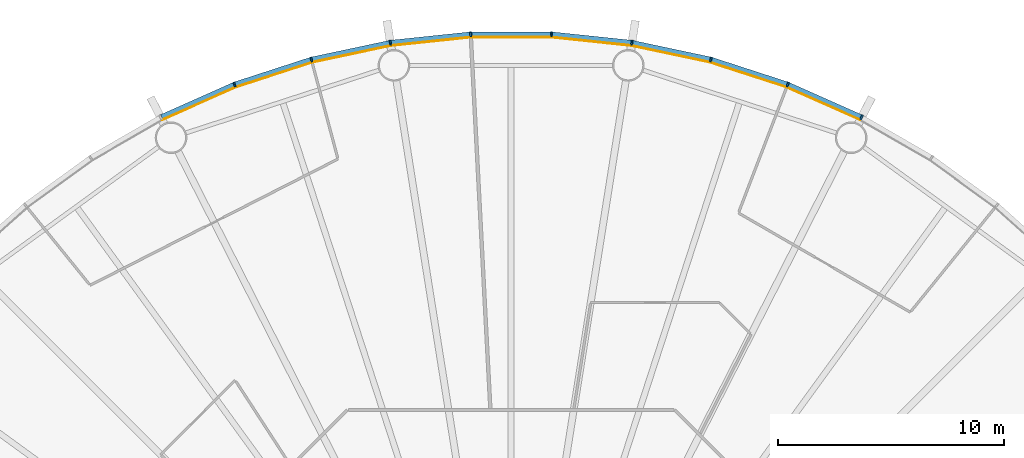
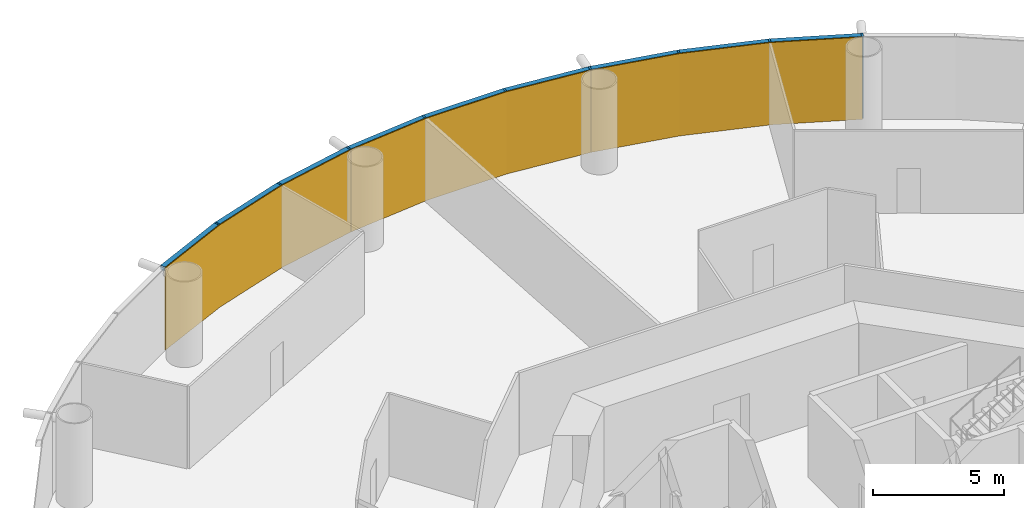
# One storey, part 12 of 13: 18 members, 3 curtain walls.
"""IFC4 building model written with IfcOpenShell, lengths in metres."""

from ifc_helpers import new_model, si_unit, direction, frame, origin, origin_2d, place, context, subcontext, project, spatial, polyline, rectangle, outline, extrude, material, layer, layer_set, material_profile, profile_set, type_object, element, aggregate, save


model = new_model("IFC4")

# Units and contexts
model_context = context("Model", 3, precision=1e-05, world=origin(), true_north=direction((0.0, 1.0)))
body_context = subcontext(model_context, "Body", "Model", "MODEL_VIEW")
ifc_project = project(units=[si_unit("LENGTHUNIT", "METRE"), si_unit("AREAUNIT", "SQUARE_METRE"), si_unit("VOLUMEUNIT", "CUBIC_METRE"), si_unit("PLANEANGLEUNIT", "RADIAN"), si_unit("MASSUNIT", "GRAM", prefix="KILO")], contexts=[model_context])

# Member
ifc_material_1 = material(Name="Anodised aluminium", Category="aluminium")
ifc_material_profile_1 = material_profile(ifc_material_1, rectangle(XDim=0.074951171875, YDim=0.219970703125, at=origin_2d()), Name="Mullion 75 x 220 mm anodised aluminium")
ifc_profile_set_1 = profile_set([ifc_material_profile_1], Name="Anodised aluminium")
member_type_1 = type_object("IfcMemberType", Name="Mullion 75 x 220 mm anodised aluminium", PredefinedType="MULLION", material=ifc_profile_set_1)
site_placement = place(None, origin())
building_placement = place(site_placement, origin())
storey_placement = place(building_placement, frame((0.0, 0.0, 34.0)))
member_1_placement = place(storey_placement, frame((105.485595703125, 110.392333984375, 0.0), z_axis=(0.0, 0.0, 1.0), x_axis=(-0.891006524188, 0.45399049974, 0.0)))
member_1 = element("IfcMember", 1, at=member_1_placement, type_object=member_type_1, Name="MULLION L06-09", PredefinedType="MULLION", context=body_context, shape_type="SweptSolid", body=[
    extrude(rectangle(XDim=0.074951171875, YDim=0.219970703125, at=origin_2d()), origin(), (0.0, 0.0, 1.0), 3.85009765625),
])

member_2_placement = place(storey_placement, frame((102.223876953125, 111.844482421875, 0.0), z_axis=(0.0, 0.0, 1.0), x_axis=(-0.933580426497, 0.358367949545, 0.0)))
member_2 = element("IfcMember", 2, at=member_2_placement, type_object=member_type_1, Name="MULLION L06-10", PredefinedType="MULLION", context=body_context, shape_type="SweptSolid", body=[
    extrude(rectangle(XDim=0.074951171875, YDim=0.219970703125, at=origin_2d()), origin(), (0.0, 0.0, 1.0), 3.85009765625),
])

member_3_placement = place(storey_placement, frame((98.828369140625, 112.94775390625, 0.0), z_axis=(0.0, 0.0, 1.0), x_axis=(-0.965925826289, 0.258819045103, 0.0)))
member_3 = element("IfcMember", 3, at=member_3_placement, type_object=member_type_1, Name="MULLION L06-11", PredefinedType="MULLION", context=body_context, shape_type="SweptSolid", body=[
    extrude(rectangle(XDim=0.074951171875, YDim=0.219970703125, at=origin_2d()), origin(), (0.0, 0.0, 1.0), 3.85009765625),
])

member_4_placement = place(storey_placement, frame((95.3359375, 113.68994140625, 0.0), z_axis=(0.0, 0.0, 1.0), x_axis=(-0.987688340595, 0.15643446504, 0.0)))
member_4 = element("IfcMember", 4, at=member_4_placement, type_object=member_type_1, Name="MULLION L06-12", PredefinedType="MULLION", context=body_context, shape_type="SweptSolid", body=[
    extrude(rectangle(XDim=0.074951171875, YDim=0.219970703125, at=origin_2d()), origin(), (0.0, 0.0, 1.0), 3.85009765625),
])

member_5_placement = place(storey_placement, frame((91.78515625, 114.063232421875, 0.0), z_axis=(0.0, 0.0, 1.0), x_axis=(-0.998629534755, 0.052335956243, 0.0)))
member_5 = element("IfcMember", 5, at=member_5_placement, type_object=member_type_1, Name="MULLION L06-13", PredefinedType="MULLION", context=body_context, shape_type="SweptSolid", body=[
    extrude(rectangle(XDim=0.074951171875, YDim=0.219970703125, at=origin_2d()), origin(), (0.0, 0.0, 1.0), 3.85009765625),
])

member_6_placement = place(storey_placement, frame((88.21484375, 114.063232421875, 0.0), z_axis=(0.0, 0.0, 1.0), x_axis=(-0.998629534755, -0.052335956243, 0.0)))
member_6 = element("IfcMember", 6, at=member_6_placement, type_object=member_type_1, Name="MULLION L06-14", PredefinedType="MULLION", context=body_context, shape_type="SweptSolid", body=[
    extrude(rectangle(XDim=0.074951171875, YDim=0.219970703125, at=origin_2d()), origin(), (0.0, 0.0, 1.0), 3.85009765625),
])

member_7_placement = place(storey_placement, frame((84.6640625, 113.68994140625, 0.0), z_axis=(0.0, 0.0, 1.0), x_axis=(-0.987688340595, -0.15643446504, 0.0)))
member_7 = element("IfcMember", 7, at=member_7_placement, type_object=member_type_1, Name="MULLION L06-15", PredefinedType="MULLION", context=body_context, shape_type="SweptSolid", body=[
    extrude(rectangle(XDim=0.074951171875, YDim=0.219970703125, at=origin_2d()), origin(), (0.0, 0.0, 1.0), 3.85009765625),
])

member_8_placement = place(storey_placement, frame((81.171630859375, 112.94775390625, 0.0), z_axis=(0.0, 0.0, 1.0), x_axis=(-0.965925826289, -0.258819045103, 0.0)))
member_8 = element("IfcMember", 8, at=member_8_placement, type_object=member_type_1, Name="MULLION L06-16", PredefinedType="MULLION", context=body_context, shape_type="SweptSolid", body=[
    extrude(rectangle(XDim=0.074951171875, YDim=0.219970703125, at=origin_2d()), origin(), (0.0, 0.0, 1.0), 3.85009765625),
])

member_9_placement = place(storey_placement, frame((77.776123046875, 111.844482421875, 0.0), z_axis=(0.0, 0.0, 1.0), x_axis=(-0.933580426497, -0.358367949545, 0.0)))
member_9 = element("IfcMember", 9, at=member_9_placement, type_object=member_type_1, Name="MULLION L06-17", PredefinedType="MULLION", context=body_context, shape_type="SweptSolid", body=[
    extrude(rectangle(XDim=0.074951171875, YDim=0.219970703125, at=origin_2d()), origin(), (0.0, 0.0, 1.0), 3.85009765625),
])

ifc_material_2 = material(Name="Anodised aluminium", Category="aluminium")
ifc_material_profile_2 = material_profile(ifc_material_2, rectangle(XDim=0.219970703125, YDim=0.199951171875, at=origin_2d()), Name="Transom 200 x 220 mm anodised aluminium")
ifc_profile_set_2 = profile_set([ifc_material_profile_2], Name="Anodised aluminium")
member_type_2 = type_object("IfcMemberType", Name="Transom 200 x 220 mm anodised aluminium", PredefinedType="USERDEFINED", material=ifc_profile_set_2)
member_10_placement = place(storey_placement, frame((105.446044921875, 110.409912109375, 3.75), z_axis=(-0.913545487371, 0.406736576304, 0.0), x_axis=(-0.406736576304, -0.913545487371, 0.0)))
member_10 = element("IfcMember", 10, at=member_10_placement, type_object=member_type_2, Name="TRANSOM L06-09", ObjectType="TRANSOM", PredefinedType="USERDEFINED", context=body_context, shape_type="SweptSolid", body=[
    extrude(rectangle(XDim=0.219970703125, YDim=0.199951171875, at=origin_2d()), origin(), (0.0, 0.0, 1.0), 3.48388671875),
])

member_11_placement = place(storey_placement, frame((102.182861328125, 111.85791015625, 3.75), z_axis=(-0.951052605696, 0.309029029702, 0.0), x_axis=(-0.309029029702, -0.951052605696, 0.0)))
member_11 = element("IfcMember", 11, at=member_11_placement, type_object=member_type_2, Name="TRANSOM L06-10", ObjectType="TRANSOM", PredefinedType="USERDEFINED", context=body_context, shape_type="SweptSolid", body=[
    extrude(rectangle(XDim=0.219970703125, YDim=0.199951171875, at=origin_2d()), origin(), (0.0, 0.0, 1.0), 3.484130859375),
])

member_12_placement = place(storey_placement, frame((98.7861328125, 112.956787109375, 3.75), z_axis=(-0.978145669426, 0.207920776701, 0.0), x_axis=(-0.207920776701, -0.978145669426, 0.0)))
member_12 = element("IfcMember", 12, at=member_12_placement, type_object=member_type_2, Name="TRANSOM L06-11", ObjectType="TRANSOM", PredefinedType="USERDEFINED", context=body_context, shape_type="SweptSolid", body=[
    extrude(rectangle(XDim=0.219970703125, YDim=0.199951171875, at=origin_2d()), origin(), (0.0, 0.0, 1.0), 3.48388671875),
])

member_13_placement = place(storey_placement, frame((95.29296875, 113.69482421875, 3.75), z_axis=(-0.994526551648, 0.104484152234, 0.0), x_axis=(-0.104484152234, -0.994526551648, 0.0)))
member_13 = element("IfcMember", 13, at=member_13_placement, type_object=member_type_2, Name="TRANSOM L06-12", ObjectType="TRANSOM", PredefinedType="USERDEFINED", context=body_context, shape_type="SweptSolid", body=[
    extrude(rectangle(XDim=0.219970703125, YDim=0.199951171875, at=origin_2d()), origin(), (0.0, 0.0, 1.0), 3.48388671875),
])

member_14_placement = place(storey_placement, frame((91.741943359375, 114.0634765625, 3.75), z_axis=(-1.0, 0.0, 0.0), x_axis=(0.0, -1.0, 0.0)))
member_14 = element("IfcMember", 14, at=member_14_placement, type_object=member_type_2, Name="TRANSOM L06-13", ObjectType="TRANSOM", PredefinedType="USERDEFINED", context=body_context, shape_type="SweptSolid", body=[
    extrude(rectangle(XDim=0.219970703125, YDim=0.199951171875, at=origin_2d()), origin(), (0.0, 0.0, 1.0), 3.48388671875),
])

member_15_placement = place(storey_placement, frame((88.171875, 114.058837890625, 3.75), z_axis=(-0.994526551648, -0.104484152234, 0.0), x_axis=(0.104484152234, -0.994526551648, 0.0)))
member_15 = element("IfcMember", 15, at=member_15_placement, type_object=member_type_2, Name="TRANSOM L06-14", ObjectType="TRANSOM", PredefinedType="USERDEFINED", context=body_context, shape_type="SweptSolid", body=[
    extrude(rectangle(XDim=0.219970703125, YDim=0.199951171875, at=origin_2d()), origin(), (0.0, 0.0, 1.0), 3.48388671875),
])

member_16_placement = place(storey_placement, frame((84.62158203125, 113.68115234375, 3.75), z_axis=(-0.978145669426, -0.207920776701, 0.0), x_axis=(0.207920776701, -0.978145669426, 0.0)))
member_16 = element("IfcMember", 16, at=member_16_placement, type_object=member_type_2, Name="TRANSOM L06-15", ObjectType="TRANSOM", PredefinedType="USERDEFINED", context=body_context, shape_type="SweptSolid", body=[
    extrude(rectangle(XDim=0.219970703125, YDim=0.199951171875, at=origin_2d()), origin(), (0.0, 0.0, 1.0), 3.48388671875),
])

member_17_placement = place(storey_placement, frame((81.130615234375, 112.9345703125, 3.75), z_axis=(-0.951052605696, -0.309029029702, 0.0), x_axis=(0.309029029702, -0.951052605696, 0.0)))
member_17 = element("IfcMember", 17, at=member_17_placement, type_object=member_type_2, Name="TRANSOM L06-16", ObjectType="TRANSOM", PredefinedType="USERDEFINED", context=body_context, shape_type="SweptSolid", body=[
    extrude(rectangle(XDim=0.219970703125, YDim=0.199951171875, at=origin_2d()), origin(), (0.0, 0.0, 1.0), 3.484130859375),
])

member_18_placement = place(storey_placement, frame((77.736572265625, 111.826904296875, 3.75), z_axis=(-0.913545487371, -0.406736576304, 0.0), x_axis=(0.406736576304, -0.913545487371, 0.0)))
member_18 = element("IfcMember", 18, at=member_18_placement, type_object=member_type_2, Name="TRANSOM L06-17", ObjectType="TRANSOM", PredefinedType="USERDEFINED", context=body_context, shape_type="SweptSolid", body=[
    extrude(rectangle(XDim=0.219970703125, YDim=0.199951171875, at=origin_2d()), origin(), (0.0, 0.0, 1.0), 3.48388671875),
])

# Site, building, storey
site = spatial("IfcSite", under=ifc_project, at=site_placement, CompositionType="ELEMENT")
building = spatial("IfcBuilding", under=site, at=building_placement, Name="Entoto Ring Tower", CompositionType="ELEMENT")
storey = spatial("IfcBuildingStorey", under=building, at=storey_placement, Name="L06", CompositionType="ELEMENT", Elevation=34.0)

# Curtain wall
ifc_material_3 = material(Name="Clear low-iron glass", Category="glass")
ifc_layer = layer(ifc_material_3, 0.0400390625)
ifc_layer_set = layer_set([ifc_layer], Name="Clear low-iron glass")
curtain_wall_type = type_object("IfcCurtainWallType", Name="Curtain wall system CW1 glazing 40 mm", PredefinedType="NOTDEFINED", material=ifc_layer_set)
curtain_wall_1_placement = place(storey_placement, origin())
curtain_wall_1 = element("IfcCurtainWall", 19, at=curtain_wall_1_placement, inside=storey, type_object=curtain_wall_type, Name="CW1 L06-04", PredefinedType="NOTDEFINED", context=body_context, shape_type="SweptSolid", body=[
    extrude(outline(polyline([(105.435791015625, 110.294189453125), (102.1845703125, 111.74169921875), (98.7998046875, 112.841552734375), (95.31884765625, 113.581298828125), (95.3125, 113.541748046875), (98.78955078125, 112.802734375), (102.170166015625, 111.704345703125), (105.41748046875, 110.258544921875), (105.435791015625, 110.294189453125)])), origin(), (0.0, 0.0, 1.0), 3.85009765625),
])

aggregate(curtain_wall_1, [member_1, member_2, member_3, member_10, member_11, member_12])

curtain_wall_2_placement = place(storey_placement, origin())
curtain_wall_2 = element("IfcCurtainWall", 20, at=curtain_wall_2_placement, inside=storey, type_object=curtain_wall_type, Name="CW1 L06-05", PredefinedType="NOTDEFINED", context=body_context, shape_type="SweptSolid", body=[
    extrude(outline(polyline([(95.31884765625, 113.581298828125), (91.779541015625, 113.953369140625), (88.220458984375, 113.953369140625), (84.68115234375, 113.581298828125), (84.6875, 113.541748046875), (88.22265625, 113.913330078125), (91.77734375, 113.913330078125), (95.3125, 113.541748046875), (95.31884765625, 113.581298828125)])), origin(), (0.0, 0.0, 1.0), 3.85009765625),
])

aggregate(curtain_wall_2, [member_4, member_5, member_6, member_13, member_14, member_15])

curtain_wall_3_placement = place(storey_placement, origin())
curtain_wall_3 = element("IfcCurtainWall", 21, at=curtain_wall_3_placement, inside=storey, type_object=curtain_wall_type, Name="CW1 L06-06", PredefinedType="NOTDEFINED", context=body_context, shape_type="SweptSolid", body=[
    extrude(outline(polyline([(84.68115234375, 113.581298828125), (81.2001953125, 112.841552734375), (77.8154296875, 111.74169921875), (74.564208984375, 110.294189453125), (74.58251953125, 110.258544921875), (77.829833984375, 111.704345703125), (81.21044921875, 112.802734375), (84.6875, 113.541748046875), (84.68115234375, 113.581298828125)])), origin(), (0.0, 0.0, 1.0), 3.85009765625),
])

aggregate(curtain_wall_3, [member_7, member_8, member_9, member_16, member_17, member_18])

save(model, "model.ifc")
